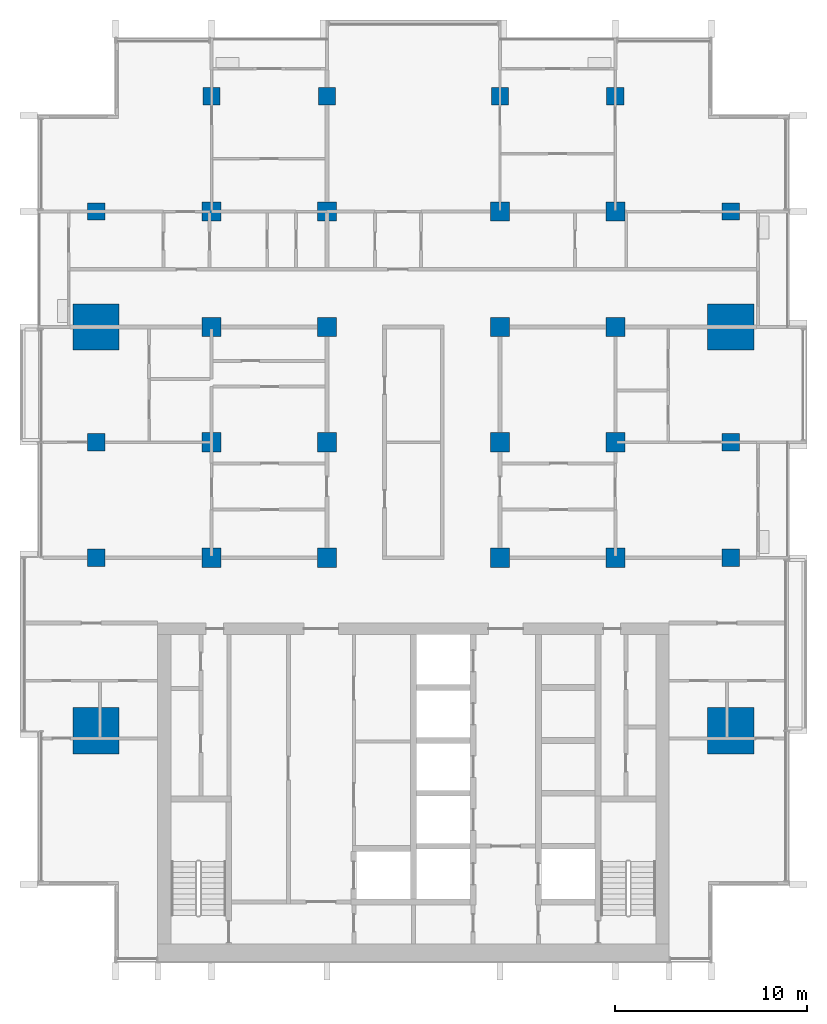
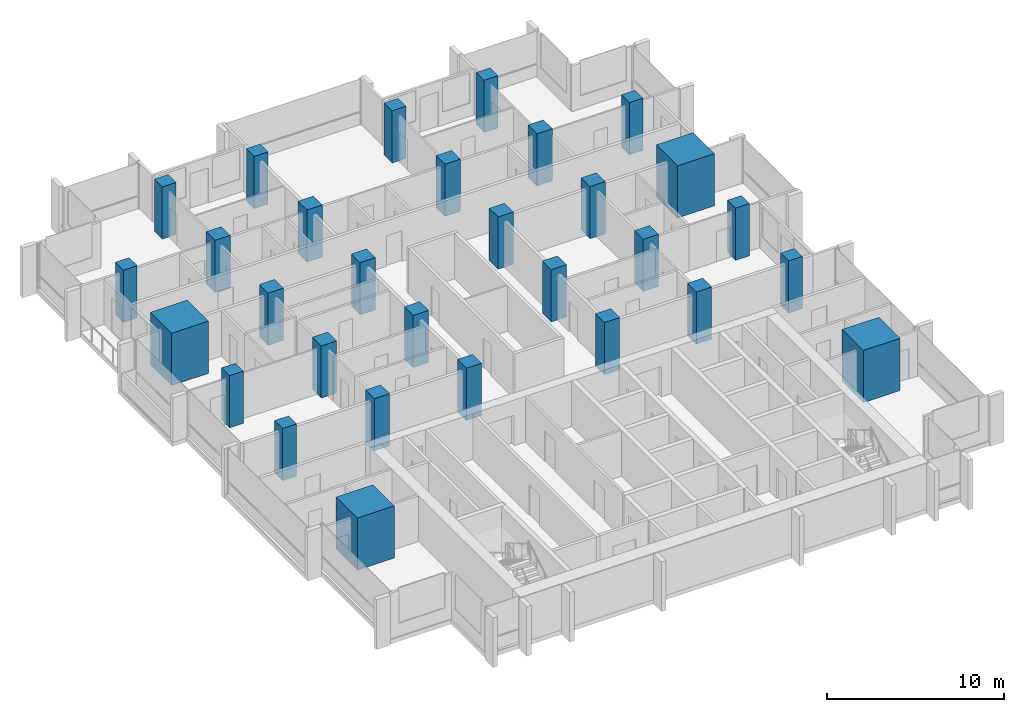
# One storey, part 1 of 17: 30 columns.
"""IFC4 building model written with IfcOpenShell, lengths in metres."""

from ifc_helpers import new_model, si_unit, direction, frame, origin, origin_2d, place, context, subcontext, project, spatial, rectangle, extrude, material, material_profile, profile_set, type_object, element, save


model = new_model("IFC4")

# Units and contexts
model_context = context("Model", 3, precision=1e-05, world=origin(), true_north=direction((0.0, 1.0)))
body_context = subcontext(model_context, "Body", "Model", "MODEL_VIEW")
ifc_project = project(units=[si_unit("LENGTHUNIT", "METRE"), si_unit("AREAUNIT", "SQUARE_METRE"), si_unit("VOLUMEUNIT", "CUBIC_METRE"), si_unit("PLANEANGLEUNIT", "RADIAN"), si_unit("MASSUNIT", "GRAM", prefix="KILO")], contexts=[model_context])

# Site, building, storey
site_placement = place(None, origin())
site = spatial("IfcSite", under=ifc_project, at=site_placement, CompositionType="ELEMENT")
building_placement = place(site_placement, origin())
building = spatial("IfcBuilding", under=site, at=building_placement, Name="Finial Court Residences", CompositionType="ELEMENT")
storey_placement = place(building_placement, frame((0.0, 0.0, 196.10009765625)))
storey = spatial("IfcBuildingStorey", under=building, at=storey_placement, Name="L49", CompositionType="ELEMENT", Elevation=196.10009765625)

# Columns
ifc_material = material(Name="Concrete C60/75", Category="concrete")
ifc_material_profile_1 = material_profile(ifc_material, rectangle(XDim=1.0, YDim=1.0, at=origin_2d()), Name="1000x1000")
ifc_profile_set_1 = profile_set([ifc_material_profile_1], Name="Concrete C60/75")
column_type_1 = type_object("IfcColumnType", Name="Interior column 1000x1000 Concrete C60/75", PredefinedType="COLUMN", material=ifc_profile_set_1)
for number, where, z_axis, x_axis, name in (
    (1, (-10.5, -4.5, 0.0), (0.0, 0.0, 1.0), (1.0, 0.0, 0.0), "S:COL:L49:D4"),
    (2, (-10.5, 1.5, 0.0), (0.0, 0.0, 1.0), (1.0, 0.0, 0.0), "S:COL:L49:D5"),
    (3, (-10.5, 7.5, 0.0), (0.0, 0.0, 1.0), (1.0, 0.0, 0.0), "S:COL:L49:D6"),
    (4, (-10.5, 13.5, 0.0), (0.0, 0.0, 1.0), (1.0, 0.0, 0.0), "S:COL:L49:D7"),
    (5, (-4.5, -4.5, 0.0), (0.0, 0.0, 1.0), (1.0, 0.0, 0.0), "S:COL:L49:E4"),
    (6, (-4.5, 1.5, 0.0), (0.0, 0.0, 1.0), (1.0, 0.0, 0.0), "S:COL:L49:E5"),
    (7, (-4.5, 7.5, 0.0), (0.0, 0.0, 1.0), (1.0, 0.0, 0.0), "S:COL:L49:E6"),
    (8, (-4.5, 13.5, 0.0), (0.0, 0.0, 1.0), (1.0, 0.0, 0.0), "S:COL:L49:E7"),
    (9, (4.5, -4.5, 0.0), (0.0, 0.0, 1.0), (1.0, 0.0, 0.0), "S:COL:L49:F4"),
    (10, (4.5, 1.5, 0.0), (0.0, 0.0, 1.0), (1.0, 0.0, 0.0), "S:COL:L49:F5"),
    (11, (4.5, 7.5, 0.0), (0.0, 0.0, 1.0), (1.0, 0.0, 0.0), "S:COL:L49:F6"),
    (12, (4.5, 13.5, 0.0), (0.0, 0.0, 1.0), (1.0, 0.0, 0.0), "S:COL:L49:F7"),
    (13, (10.5, -4.5, 0.0), (0.0, 0.0, 1.0), (1.0, 0.0, 0.0), "S:COL:L49:G4"),
    (14, (10.5, 1.5, 0.0), (0.0, 0.0, 1.0), (1.0, 0.0, 0.0), "S:COL:L49:G5"),
    (15, (10.5, 7.5, 0.0), (0.0, 0.0, 1.0), (1.0, 0.0, 0.0), "S:COL:L49:G6"),
    (16, (10.5, 13.5, 0.0), (0.0, 0.0, 1.0), (1.0, 0.0, 0.0), "S:COL:L49:G7"),
):
    element("IfcColumn", number, at=place(storey_placement, frame(where, z_axis=z_axis, x_axis=x_axis)), inside=storey, type_object=column_type_1, Name=name, PredefinedType="COLUMN", context=body_context, shape_type="SweptSolid", body=[
        extrude(rectangle(XDim=1.0, YDim=1.0, at=origin_2d()), origin(), (0.0, 0.0, 1.0), 3.599853515625),
    ])
ifc_material_profile_2 = material_profile(ifc_material, rectangle(XDim=2.39990234375, YDim=2.39990234375, at=origin_2d()), Name="2400x2400")
ifc_profile_set_2 = profile_set([ifc_material_profile_2], Name="Concrete C60/75")
column_type_2 = type_object("IfcColumnType", Name="Mega column 2400x2400 Concrete C60/75", PredefinedType="COLUMN", material=ifc_profile_set_2)
for number, where, z_axis, x_axis, name in (
    (17, (-16.5, -13.5, 0.0), (0.0, 0.0, 1.0), (1.0, 0.0, 0.0), "S:COL:L49:C3"),
    (18, (-16.5, 7.5, 0.0), (0.0, 0.0, 1.0), (1.0, 0.0, 0.0), "S:COL:L49:C6"),
    (19, (16.5, -13.5, 0.0), (0.0, 0.0, 1.0), (1.0, 0.0, 0.0), "S:COL:L49:H3"),
    (20, (16.5, 7.5, 0.0), (0.0, 0.0, 1.0), (1.0, 0.0, 0.0), "S:COL:L49:H6"),
):
    element("IfcColumn", number, at=place(storey_placement, frame(where, z_axis=z_axis, x_axis=x_axis)), inside=storey, type_object=column_type_2, Name=name, PredefinedType="COLUMN", context=body_context, shape_type="SweptSolid", body=[
        extrude(rectangle(XDim=2.39990234375, YDim=2.39990234375, at=origin_2d()), origin(), (0.0, 0.0, 1.0), 3.599853515625),
    ])
ifc_material_profile_3 = material_profile(ifc_material, rectangle(XDim=0.89990234375, YDim=0.89990234375, at=origin_2d()), Name="900x900")
ifc_profile_set_3 = profile_set([ifc_material_profile_3], Name="Concrete C60/75")
column_type_3 = type_object("IfcColumnType", Name="Perimeter column 900x900 Concrete C60/75", PredefinedType="COLUMN", material=ifc_profile_set_3)
for number, where, z_axis, x_axis, name in (
    (21, (-16.5, -4.5, 0.0), (0.0, 0.0, 1.0), (1.0, 0.0, 0.0), "S:COL:L49:C4"),
    (22, (-16.5, 1.5, 0.0), (0.0, 0.0, 1.0), (1.0, 0.0, 0.0), "S:COL:L49:C5"),
    (23, (-16.5, 13.5, 0.0), (0.0, 0.0, 1.0), (1.0, 0.0, 0.0), "S:COL:L49:C7"),
    (24, (-10.5, 19.5, 0.0), (0.0, 0.0, 1.0), (1.0, 0.0, 0.0), "S:COL:L49:D8"),
    (25, (-4.5, 19.5, 0.0), (0.0, 0.0, 1.0), (1.0, 0.0, 0.0), "S:COL:L49:E8"),
    (26, (4.5, 19.5, 0.0), (0.0, 0.0, 1.0), (1.0, 0.0, 0.0), "S:COL:L49:F8"),
    (27, (10.5, 19.5, 0.0), (0.0, 0.0, 1.0), (1.0, 0.0, 0.0), "S:COL:L49:G8"),
    (28, (16.5, -4.5, 0.0), (0.0, 0.0, 1.0), (1.0, 0.0, 0.0), "S:COL:L49:H4"),
    (29, (16.5, 1.5, 0.0), (0.0, 0.0, 1.0), (1.0, 0.0, 0.0), "S:COL:L49:H5"),
    (30, (16.5, 13.5, 0.0), (0.0, 0.0, 1.0), (1.0, 0.0, 0.0), "S:COL:L49:H7"),
):
    element("IfcColumn", number, at=place(storey_placement, frame(where, z_axis=z_axis, x_axis=x_axis)), inside=storey, type_object=column_type_3, Name=name, PredefinedType="COLUMN", context=body_context, shape_type="SweptSolid", body=[
        extrude(rectangle(XDim=0.89990234375, YDim=0.89990234375, at=origin_2d()), origin(), (0.0, 0.0, 1.0), 3.599853515625),
    ])

save(model, "model.ifc")
